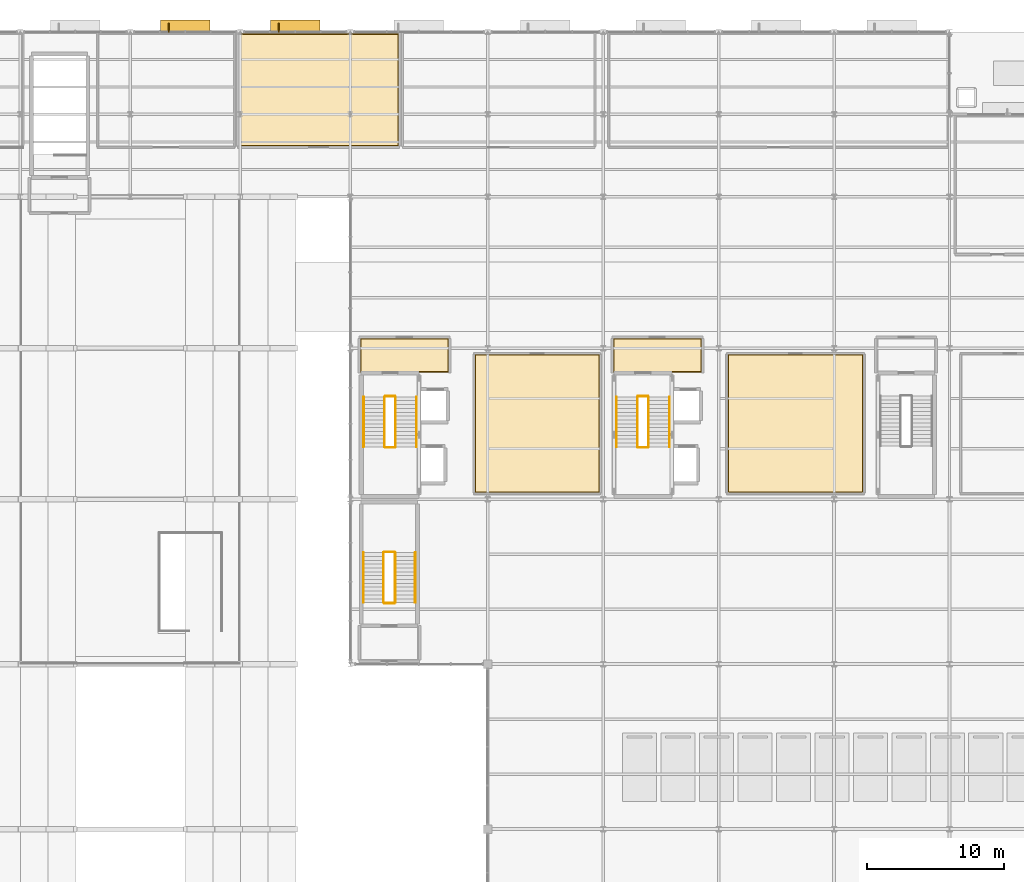
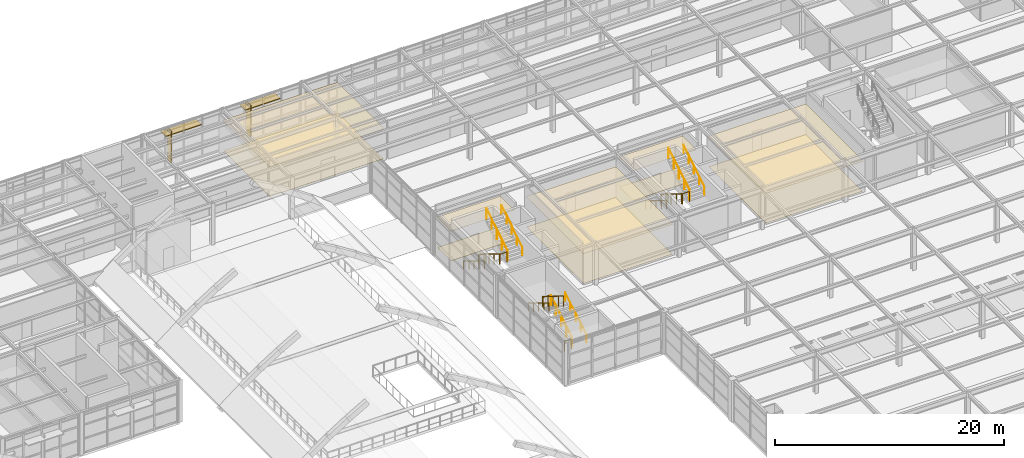
# One storey, part 77 of 82: 18 railings, 10 coverings, 4 shading devices.
"""IFC4 building model written with IfcOpenShell, lengths in metres."""

from ifc_helpers import new_model, si_unit, direction, frame, origin, origin_2d, place, context, subcontext, project, spatial, polyline, rectangle, circle, outline, extrude, material, layer, layer_set, type_object, element, save


model = new_model("IFC4")

# Units and contexts
model_context = context("Model", 3, precision=1e-05, world=origin(), true_north=direction((0.0, 1.0)))
body_context = subcontext(model_context, "Body", "Model", "MODEL_VIEW")
ifc_project = project(units=[si_unit("LENGTHUNIT", "METRE"), si_unit("AREAUNIT", "SQUARE_METRE"), si_unit("VOLUMEUNIT", "CUBIC_METRE"), si_unit("PLANEANGLEUNIT", "RADIAN"), si_unit("MASSUNIT", "GRAM", prefix="KILO")], contexts=[model_context])

# Site, building, storey
site_placement = place(None, origin())
site = spatial("IfcSite", under=ifc_project, at=site_placement, CompositionType="ELEMENT")
building_placement = place(site_placement, origin())
building = spatial("IfcBuilding", under=site, at=building_placement, Name="Sitalva Quay Ferry Terminal", CompositionType="ELEMENT")
storey_placement = place(building_placement, frame((0.0, 0.0, 5.39990234375)))
storey = spatial("IfcBuildingStorey", under=building, at=storey_placement, Name="L02", CompositionType="ELEMENT", Elevation=5.39990234375)

# Coverings
ifc_material_1 = material(Name="Perforated Marine Aluminium Acoustic Ceiling", Category="aluminium")
ifc_layer_1 = layer(ifc_material_1, 0.0400390625)
ifc_layer_set_1 = layer_set([ifc_layer_1], Name="Perforated Marine Aluminium Acoustic Ceiling")
covering_type_1 = type_object("IfcCoveringType", Name="Ceiling_AcousticBaffle_40", PredefinedType="CEILING", material=ifc_layer_set_1)
covering_1_placement = place(storey_placement, frame((0.0, 0.0, 3.210205078125)))
element("IfcCovering", 1, at=covering_1_placement, inside=storey, type_object=covering_type_1, Name="Food Court Commercial Kitchen ceiling", PredefinedType="CEILING", context=body_context, shape_type="SweptSolid", body=[
    extrude(outline(polyline([(65.889892578125, 103.68994140625), (77.510009765625, 103.68994140625), (77.510009765625, 111.8798828125), (65.889892578125, 111.8798828125), (65.889892578125, 103.68994140625)])), origin(), (0.0, 0.0, 1.0), 0.039794921875),
])
covering_2_placement = place(storey_placement, frame((0.0, 0.0, 3.210205078125)))
element("IfcCovering", 2, at=covering_2_placement, inside=storey, type_object=covering_type_1, Name="Ferry Operator Ticketing & Dispatch Offices ceiling", PredefinedType="CEILING", context=body_context, shape_type="SweptSolid", body=[
    extrude(outline(polyline([(83.0625, 78.46240234375), (92.137451171875, 78.46240234375), (92.137451171875, 88.53759765625), (83.0625, 88.53759765625), (83.0625, 78.46240234375)])), origin(), (0.0, 0.0, 1.0), 0.039794921875),
])
covering_3_placement = place(storey_placement, frame((0.0, 0.0, 3.210205078125)))
element("IfcCovering", 3, at=covering_3_placement, inside=storey, type_object=covering_type_1, Name="Ferry Crew Mess & Rest Suite ceiling", PredefinedType="CEILING", context=body_context, shape_type="SweptSolid", body=[
    extrude(outline(polyline([(101.46240234375, 78.46240234375), (111.33740234375, 78.46240234375), (111.33740234375, 88.53759765625), (101.46240234375, 88.53759765625), (101.46240234375, 78.46240234375)])), origin(), (0.0, 0.0, 1.0), 0.039794921875),
])
ifc_material_2 = material(Name="Moisture-Resistant Acoustic Gypsum Ceiling", Category="gypsum")
ifc_layer_2 = layer(ifc_material_2, 0.02490234375)
ifc_layer_set_2 = layer_set([ifc_layer_2], Name="Moisture-Resistant Acoustic Gypsum Ceiling")
covering_type_2 = type_object("IfcCoveringType", Name="Ceiling_GypsumMoisture_25", PredefinedType="CEILING", material=ifc_layer_set_2)
covering_4_placement = place(storey_placement, frame((0.0, 0.0, 3.22509765625)))
element("IfcCovering", 4, at=covering_4_placement, inside=storey, type_object=covering_type_2, Name="Firefighting & Lift Lobby C1 ceiling", PredefinedType="CEILING", context=body_context, shape_type="SweptSolid", body=[
    extrude(outline(polyline([(74.739990234375, 87.239990234375), (81.159912109375, 87.239990234375), (81.159912109375, 89.7099609375), (74.739990234375, 89.7099609375), (74.739990234375, 87.239990234375)])), origin(), (0.0, 0.0, 1.0), 0.02490234375),
])
covering_5_placement = place(storey_placement, frame((0.0, 0.0, 3.22509765625)))
element("IfcCovering", 5, at=covering_5_placement, inside=storey, type_object=covering_type_2, Name="Firefighting & Lift Lobby C2 ceiling", PredefinedType="CEILING", context=body_context, shape_type="SweptSolid", body=[
    extrude(outline(polyline([(93.139892578125, 87.239990234375), (99.56005859375, 87.239990234375), (99.56005859375, 89.7099609375), (93.139892578125, 89.7099609375), (93.139892578125, 87.239990234375)])), origin(), (0.0, 0.0, 1.0), 0.02490234375),
])
ifc_material_3 = material(Name="Heavy-Duty Acoustic Resilient Flooring", Category="polymer")
ifc_layer_3 = layer(ifc_material_3, 0.014892578125)
ifc_layer_set_3 = layer_set([ifc_layer_3], Name="Heavy-Duty Acoustic Resilient Flooring")
covering_type_3 = type_object("IfcCoveringType", Name="Finish_AcousticVinyl_15", PredefinedType="FLOORING", material=ifc_layer_set_3)
covering_6_placement = place(storey_placement, origin())
element("IfcCovering", 6, at=covering_6_placement, inside=storey, type_object=covering_type_3, Name="Ferry Operator Ticketing & Dispatch Offices floor finish", PredefinedType="FLOORING", context=body_context, shape_type="SweptSolid", body=[
    extrude(outline(polyline([(83.112548828125, 78.512451171875), (92.08740234375, 78.512451171875), (92.08740234375, 88.487548828125), (83.112548828125, 88.487548828125), (83.112548828125, 78.512451171875)])), origin(), (0.0, 0.0, 1.0), 0.01513671875),
])
covering_7_placement = place(storey_placement, origin())
element("IfcCovering", 7, at=covering_7_placement, inside=storey, type_object=covering_type_3, Name="Ferry Crew Mess & Rest Suite floor finish", PredefinedType="FLOORING", context=body_context, shape_type="SweptSolid", body=[
    extrude(outline(polyline([(101.512451171875, 78.512451171875), (111.28759765625, 78.512451171875), (111.28759765625, 88.487548828125), (101.512451171875, 88.487548828125), (101.512451171875, 78.512451171875)])), origin(), (0.0, 0.0, 1.0), 0.01513671875),
])
ifc_material_4 = material(Name="Anti-Slip Porcelain Tile", Category="ceramic")
ifc_layer_4 = layer(ifc_material_4, 0.02001953125)
ifc_layer_set_4 = layer_set([ifc_layer_4], Name="Anti-Slip Porcelain Tile")
covering_type_4 = type_object("IfcCoveringType", Name="Finish_CeramicWet_20", PredefinedType="FLOORING", material=ifc_layer_set_4)
covering_8_placement = place(storey_placement, origin())
element("IfcCovering", 8, at=covering_8_placement, inside=storey, type_object=covering_type_4, Name="Food Court Commercial Kitchen floor finish", PredefinedType="FLOORING", context=body_context, shape_type="SweptSolid", body=[
    extrude(outline(polyline([(65.93994140625, 103.739990234375), (77.4599609375, 103.739990234375), (77.4599609375, 111.830078125), (65.93994140625, 111.830078125), (65.93994140625, 103.739990234375)])), origin(), (0.0, 0.0, 1.0), 0.02001953125),
])
ifc_material_5 = material(Name="Flamed Non-Slip Granite Paving", Category="masonry")
ifc_layer_5 = layer(ifc_material_5, 0.034912109375)
ifc_layer_set_5 = layer_set([ifc_layer_5], Name="Flamed Non-Slip Granite Paving")
covering_type_5 = type_object("IfcCoveringType", Name="Finish_Granite_35", PredefinedType="FLOORING", material=ifc_layer_set_5)
covering_9_placement = place(storey_placement, origin())
element("IfcCovering", 9, at=covering_9_placement, inside=storey, type_object=covering_type_5, Name="Firefighting & Lift Lobby C1 floor finish", PredefinedType="FLOORING", context=body_context, shape_type="SweptSolid", body=[
    extrude(outline(polyline([(74.7900390625, 87.2900390625), (81.110107421875, 87.2900390625), (81.110107421875, 89.659912109375), (74.7900390625, 89.659912109375), (74.7900390625, 87.2900390625)])), origin(), (0.0, 0.0, 1.0), 0.03515625),
])
covering_10_placement = place(storey_placement, origin())
element("IfcCovering", 10, at=covering_10_placement, inside=storey, type_object=covering_type_5, Name="Firefighting & Lift Lobby C2 floor finish", PredefinedType="FLOORING", context=body_context, shape_type="SweptSolid", body=[
    extrude(outline(polyline([(93.18994140625, 87.2900390625), (99.510009765625, 87.2900390625), (99.510009765625, 89.659912109375), (93.18994140625, 89.659912109375), (93.18994140625, 87.2900390625)])), origin(), (0.0, 0.0, 1.0), 0.03515625),
])

# Railings
ifc_material_6 = material(Name="Galvanised Steel S275JR", Category="steel")
railing_type_1 = type_object("IfcRailingType", Name="Railing_Guard_1100", PredefinedType="GUARDRAIL", material=ifc_material_6)
railing_1_placement = place(storey_placement, frame((76.5, 85.449951171875, 0.171630859375)))
element("IfcRailing", 11, at=railing_1_placement, inside=storey, type_object=railing_type_1, Name="L02 ST-01 stair guard 1", PredefinedType="GUARDRAIL", context=body_context, shape_type="SweptSolid", body=[
    extrude(circle(Radius=0.02392578125, at=origin_2d()), frame((0.0, 0.0, 1.076171875), z_axis=(0.0, -0.852850264322, 0.5221555579), x_axis=(1.0, 0.0, 0.0)), (0.0, 0.0, 1.0), 4.267822265625),
    extrude(circle(Radius=0.02099609375, at=origin_2d()), origin(), (0.0, 0.0, 1.0), 1.052001953125),
    extrude(circle(Radius=0.02099609375, at=origin_2d()), frame((0.0, -0.909912109375, 0.55712890625)), (0.0, 0.0, 1.0), 1.052001953125),
    extrude(circle(Radius=0.02099609375, at=origin_2d()), frame((0.0, -1.81982421875, 1.1142578125)), (0.0, 0.0, 1.0), 1.052001953125),
    extrude(circle(Radius=0.02099609375, at=origin_2d()), frame((0.0, -2.72998046875, 1.67138671875)), (0.0, 0.0, 1.0), 1.052001953125),
    extrude(circle(Radius=0.02099609375, at=origin_2d()), frame((0.0, -3.639892578125, 2.228515625)), (0.0, 0.0, 1.0), 1.052001953125),
])
railing_2_placement = place(storey_placement, frame((76.550048828125, 81.760009765625, 2.400146484375)))
element("IfcRailing", 12, at=railing_2_placement, inside=storey, type_object=railing_type_1, Name="L02 ST-01 stair guard 2", PredefinedType="GUARDRAIL", context=body_context, shape_type="SweptSolid", body=[
    extrude(circle(Radius=0.02392578125, at=origin_2d()), frame((0.0, 0.0, 1.076171875), z_axis=(1.0, 0.0, 0.0), x_axis=(0.0, 1.0, 0.0)), (0.0, 0.0, 1.0), 0.699951171875),
    extrude(circle(Radius=0.02099609375, at=origin_2d()), origin(), (0.0, 0.0, 1.0), 1.052001953125),
    extrude(circle(Radius=0.02099609375, at=origin_2d()), frame((0.699951171875, 0.0, 0.0)), (0.0, 0.0, 1.0), 1.052001953125),
])
railing_3_placement = place(storey_placement, frame((77.300048828125, 81.81005859375, 2.571533203125)))
element("IfcRailing", 13, at=railing_3_placement, inside=storey, type_object=railing_type_1, Name="L02 ST-01 stair guard 3", PredefinedType="GUARDRAIL", context=body_context, shape_type="SweptSolid", body=[
    extrude(circle(Radius=0.02392578125, at=origin_2d()), frame((0.0, 0.0, 1.076171875), z_axis=(0.0, 0.852850264322, 0.5221555579), x_axis=(-1.0, 0.0, 0.0)), (0.0, 0.0, 1.0), 4.267822265625),
    extrude(circle(Radius=0.02099609375, at=origin_2d()), origin(), (0.0, 0.0, 1.0), 1.052001953125),
    extrude(circle(Radius=0.02099609375, at=origin_2d()), frame((0.0, 0.909912109375, 0.55712890625)), (0.0, 0.0, 1.0), 1.052001953125),
    extrude(circle(Radius=0.02099609375, at=origin_2d()), frame((0.0, 1.81982421875, 1.1142578125)), (0.0, 0.0, 1.0), 1.052001953125),
    extrude(circle(Radius=0.02099609375, at=origin_2d()), frame((0.0, 2.72998046875, 1.67138671875)), (0.0, 0.0, 1.0), 1.052001953125),
    extrude(circle(Radius=0.02099609375, at=origin_2d()), frame((0.0, 3.639892578125, 2.228515625)), (0.0, 0.0, 1.0), 1.052001953125),
])
railing_4_placement = place(storey_placement, frame((76.550048828125, 85.5, 0.0)))
element("IfcRailing", 14, at=railing_4_placement, inside=storey, type_object=railing_type_1, Name="L02 ST-01 stair guard 4", PredefinedType="GUARDRAIL", context=body_context, shape_type="SweptSolid", body=[
    extrude(circle(Radius=0.02392578125, at=origin_2d()), frame((0.0, 0.0, 1.076171875), z_axis=(1.0, 0.0, 0.0), x_axis=(0.0, 1.0, 0.0)), (0.0, 0.0, 1.0), 0.699951171875),
    extrude(circle(Radius=0.02099609375, at=origin_2d()), origin(), (0.0, 0.0, 1.0), 1.052001953125),
    extrude(circle(Radius=0.02099609375, at=origin_2d()), frame((0.699951171875, 0.0, 0.0)), (0.0, 0.0, 1.0), 1.052001953125),
])
railing_5_placement = place(storey_placement, frame((94.89990234375, 85.449951171875, 0.171630859375)))
element("IfcRailing", 15, at=railing_5_placement, inside=storey, type_object=railing_type_1, Name="L02 ST-02 stair guard 1", PredefinedType="GUARDRAIL", context=body_context, shape_type="SweptSolid", body=[
    extrude(circle(Radius=0.02392578125, at=origin_2d()), frame((0.0, 0.0, 1.076171875), z_axis=(0.0, -0.852850264322, 0.5221555579), x_axis=(1.0, 0.0, 0.0)), (0.0, 0.0, 1.0), 4.267822265625),
    extrude(circle(Radius=0.02099609375, at=origin_2d()), origin(), (0.0, 0.0, 1.0), 1.052001953125),
    extrude(circle(Radius=0.02099609375, at=origin_2d()), frame((0.0, -0.909912109375, 0.55712890625)), (0.0, 0.0, 1.0), 1.052001953125),
    extrude(circle(Radius=0.02099609375, at=origin_2d()), frame((0.0, -1.81982421875, 1.1142578125)), (0.0, 0.0, 1.0), 1.052001953125),
    extrude(circle(Radius=0.02099609375, at=origin_2d()), frame((0.0, -2.72998046875, 1.67138671875)), (0.0, 0.0, 1.0), 1.052001953125),
    extrude(circle(Radius=0.02099609375, at=origin_2d()), frame((0.0, -3.639892578125, 2.228515625)), (0.0, 0.0, 1.0), 1.052001953125),
])
railing_6_placement = place(storey_placement, frame((94.949951171875, 81.760009765625, 2.400146484375)))
element("IfcRailing", 16, at=railing_6_placement, inside=storey, type_object=railing_type_1, Name="L02 ST-02 stair guard 2", PredefinedType="GUARDRAIL", context=body_context, shape_type="SweptSolid", body=[
    extrude(circle(Radius=0.02392578125, at=origin_2d()), frame((0.0, 0.0, 1.076171875), z_axis=(1.0, 0.0, 0.0), x_axis=(0.0, 1.0, 0.0)), (0.0, 0.0, 1.0), 0.699951171875),
    extrude(circle(Radius=0.02099609375, at=origin_2d()), origin(), (0.0, 0.0, 1.0), 1.052001953125),
    extrude(circle(Radius=0.02099609375, at=origin_2d()), frame((0.699951171875, 0.0, 0.0)), (0.0, 0.0, 1.0), 1.052001953125),
])
railing_7_placement = place(storey_placement, frame((95.699951171875, 81.81005859375, 2.571533203125)))
element("IfcRailing", 17, at=railing_7_placement, inside=storey, type_object=railing_type_1, Name="L02 ST-02 stair guard 3", PredefinedType="GUARDRAIL", context=body_context, shape_type="SweptSolid", body=[
    extrude(circle(Radius=0.02392578125, at=origin_2d()), frame((0.0, 0.0, 1.076171875), z_axis=(0.0, 0.852850264322, 0.5221555579), x_axis=(-1.0, 0.0, 0.0)), (0.0, 0.0, 1.0), 4.267822265625),
    extrude(circle(Radius=0.02099609375, at=origin_2d()), origin(), (0.0, 0.0, 1.0), 1.052001953125),
    extrude(circle(Radius=0.02099609375, at=origin_2d()), frame((0.0, 0.909912109375, 0.55712890625)), (0.0, 0.0, 1.0), 1.052001953125),
    extrude(circle(Radius=0.02099609375, at=origin_2d()), frame((0.0, 1.81982421875, 1.1142578125)), (0.0, 0.0, 1.0), 1.052001953125),
    extrude(circle(Radius=0.02099609375, at=origin_2d()), frame((0.0, 2.72998046875, 1.67138671875)), (0.0, 0.0, 1.0), 1.052001953125),
    extrude(circle(Radius=0.02099609375, at=origin_2d()), frame((0.0, 3.639892578125, 2.228515625)), (0.0, 0.0, 1.0), 1.052001953125),
])
railing_8_placement = place(storey_placement, frame((94.949951171875, 85.5, 0.0)))
element("IfcRailing", 18, at=railing_8_placement, inside=storey, type_object=railing_type_1, Name="L02 ST-02 stair guard 4", PredefinedType="GUARDRAIL", context=body_context, shape_type="SweptSolid", body=[
    extrude(circle(Radius=0.02392578125, at=origin_2d()), frame((0.0, 0.0, 1.076171875), z_axis=(1.0, 0.0, 0.0), x_axis=(0.0, 1.0, 0.0)), (0.0, 0.0, 1.0), 0.699951171875),
    extrude(circle(Radius=0.02099609375, at=origin_2d()), origin(), (0.0, 0.0, 1.0), 1.052001953125),
    extrude(circle(Radius=0.02099609375, at=origin_2d()), frame((0.699951171875, 0.0, 0.0)), (0.0, 0.0, 1.0), 1.052001953125),
])
railing_9_placement = place(storey_placement, frame((77.27001953125, 70.47998046875, 0.171630859375)))
element("IfcRailing", 19, at=railing_9_placement, inside=storey, type_object=railing_type_1, Name="L02 ST-13 stair guard 1", PredefinedType="GUARDRAIL", context=body_context, shape_type="SweptSolid", body=[
    extrude(circle(Radius=0.02392578125, at=origin_2d()), frame((0.0, 0.0, 1.076171875), z_axis=(0.0, 0.852865859571, 0.52213008492), x_axis=(-1.0, 0.0, 0.0)), (0.0, 0.0, 1.0), 4.26806640625),
    extrude(circle(Radius=0.02099609375, at=origin_2d()), origin(), (0.0, 0.0, 1.0), 1.052001953125),
    extrude(circle(Radius=0.02099609375, at=origin_2d()), frame((0.0, 0.91015625, 0.55712890625)), (0.0, 0.0, 1.0), 1.052001953125),
    extrude(circle(Radius=0.02099609375, at=origin_2d()), frame((0.0, 1.820068359375, 1.1142578125)), (0.0, 0.0, 1.0), 1.052001953125),
    extrude(circle(Radius=0.02099609375, at=origin_2d()), frame((0.0, 2.72998046875, 1.67138671875)), (0.0, 0.0, 1.0), 1.052001953125),
    extrude(circle(Radius=0.02099609375, at=origin_2d()), frame((0.0, 3.64013671875, 2.228515625)), (0.0, 0.0, 1.0), 1.052001953125),
])
railing_10_placement = place(storey_placement, frame((77.219970703125, 74.169921875, 2.400146484375)))
element("IfcRailing", 20, at=railing_10_placement, inside=storey, type_object=railing_type_1, Name="L02 ST-13 stair guard 2", PredefinedType="GUARDRAIL", context=body_context, shape_type="SweptSolid", body=[
    extrude(circle(Radius=0.02392578125, at=origin_2d()), frame((0.0, 0.0, 1.076171875), z_axis=(-1.0, 0.0, 0.0), x_axis=(0.0, -1.0, 0.0)), (0.0, 0.0, 1.0), 0.739990234375),
    extrude(circle(Radius=0.02099609375, at=origin_2d()), origin(), (0.0, 0.0, 1.0), 1.052001953125),
    extrude(circle(Radius=0.02099609375, at=origin_2d()), frame((-0.739990234375, 0.0, 0.0)), (0.0, 0.0, 1.0), 1.052001953125),
])
railing_11_placement = place(storey_placement, frame((76.429931640625, 74.1201171875, 2.571533203125)))
element("IfcRailing", 21, at=railing_11_placement, inside=storey, type_object=railing_type_1, Name="L02 ST-13 stair guard 3", PredefinedType="GUARDRAIL", context=body_context, shape_type="SweptSolid", body=[
    extrude(circle(Radius=0.02392578125, at=origin_2d()), frame((0.0, 0.0, 1.076171875), z_axis=(0.0, -0.852865859571, 0.52213008492), x_axis=(1.0, 0.0, 0.0)), (0.0, 0.0, 1.0), 4.26806640625),
    extrude(circle(Radius=0.02099609375, at=origin_2d()), origin(), (0.0, 0.0, 1.0), 1.052001953125),
    extrude(circle(Radius=0.02099609375, at=origin_2d()), frame((0.0, -0.91015625, 0.55712890625)), (0.0, 0.0, 1.0), 1.052001953125),
    extrude(circle(Radius=0.02099609375, at=origin_2d()), frame((0.0, -1.820068359375, 1.1142578125)), (0.0, 0.0, 1.0), 1.052001953125),
    extrude(circle(Radius=0.02099609375, at=origin_2d()), frame((0.0, -2.72998046875, 1.67138671875)), (0.0, 0.0, 1.0), 1.052001953125),
    extrude(circle(Radius=0.02099609375, at=origin_2d()), frame((0.0, -3.64013671875, 2.228515625)), (0.0, 0.0, 1.0), 1.052001953125),
])
railing_12_placement = place(storey_placement, frame((77.219970703125, 70.429931640625, 0.0)))
element("IfcRailing", 22, at=railing_12_placement, inside=storey, type_object=railing_type_1, Name="L02 ST-13 stair guard 4", PredefinedType="GUARDRAIL", context=body_context, shape_type="SweptSolid", body=[
    extrude(circle(Radius=0.02392578125, at=origin_2d()), frame((0.0, 0.0, 1.076171875), z_axis=(-1.0, 0.0, 0.0), x_axis=(0.0, -1.0, 0.0)), (0.0, 0.0, 1.0), 0.739990234375),
    extrude(circle(Radius=0.02099609375, at=origin_2d()), origin(), (0.0, 0.0, 1.0), 1.052001953125),
    extrude(circle(Radius=0.02099609375, at=origin_2d()), frame((-0.739990234375, 0.0, 0.0)), (0.0, 0.0, 1.0), 1.052001953125),
])
ifc_material_7 = material(Name="Stainless Steel 316L", Category="steel")
railing_type_2 = type_object("IfcRailingType", Name="Railing_Handrail_900", PredefinedType="HANDRAIL", material=ifc_material_7)
railing_13_placement = place(storey_placement, frame((74.97998046875, 85.449951171875, 0.171630859375)))
element("IfcRailing", 23, at=railing_13_placement, inside=storey, type_object=railing_type_2, Name="L02 ST-01 stair handrail 1", PredefinedType="HANDRAIL", context=body_context, shape_type="SweptSolid", body=[
    extrude(circle(Radius=0.02392578125, at=origin_2d()), frame((0.0, 0.0, 0.8759765625), z_axis=(0.0, -0.852850264322, 0.5221555579), x_axis=(1.0, 0.0, 0.0)), (0.0, 0.0, 1.0), 4.267822265625),
    extrude(circle(Radius=0.02099609375, at=origin_2d()), origin(), (0.0, 0.0, 1.0), 0.851806640625),
    extrude(circle(Radius=0.02099609375, at=origin_2d()), frame((0.0, -0.909912109375, 0.55712890625)), (0.0, 0.0, 1.0), 0.851806640625),
    extrude(circle(Radius=0.02099609375, at=origin_2d()), frame((0.0, -1.81982421875, 1.1142578125)), (0.0, 0.0, 1.0), 0.851806640625),
    extrude(circle(Radius=0.02099609375, at=origin_2d()), frame((0.0, -2.72998046875, 1.67138671875)), (0.0, 0.0, 1.0), 0.851806640625),
    extrude(circle(Radius=0.02099609375, at=origin_2d()), frame((0.0, -3.639892578125, 2.228515625)), (0.0, 0.0, 1.0), 0.851806640625),
])
railing_14_placement = place(storey_placement, frame((78.820068359375, 81.81005859375, 2.571533203125)))
element("IfcRailing", 24, at=railing_14_placement, inside=storey, type_object=railing_type_2, Name="L02 ST-01 stair handrail 2", PredefinedType="HANDRAIL", context=body_context, shape_type="SweptSolid", body=[
    extrude(circle(Radius=0.02392578125, at=origin_2d()), frame((0.0, 0.0, 0.8759765625), z_axis=(0.0, 0.852850264322, 0.5221555579), x_axis=(-1.0, 0.0, 0.0)), (0.0, 0.0, 1.0), 4.267822265625),
    extrude(circle(Radius=0.02099609375, at=origin_2d()), origin(), (0.0, 0.0, 1.0), 0.851806640625),
    extrude(circle(Radius=0.02099609375, at=origin_2d()), frame((0.0, 0.909912109375, 0.55712890625)), (0.0, 0.0, 1.0), 0.851806640625),
    extrude(circle(Radius=0.02099609375, at=origin_2d()), frame((0.0, 1.81982421875, 1.1142578125)), (0.0, 0.0, 1.0), 0.851806640625),
    extrude(circle(Radius=0.02099609375, at=origin_2d()), frame((0.0, 2.72998046875, 1.67138671875)), (0.0, 0.0, 1.0), 0.851806640625),
    extrude(circle(Radius=0.02099609375, at=origin_2d()), frame((0.0, 3.639892578125, 2.228515625)), (0.0, 0.0, 1.0), 0.851806640625),
])
railing_15_placement = place(storey_placement, frame((93.3798828125, 85.449951171875, 0.171630859375)))
element("IfcRailing", 25, at=railing_15_placement, inside=storey, type_object=railing_type_2, Name="L02 ST-02 stair handrail 1", PredefinedType="HANDRAIL", context=body_context, shape_type="SweptSolid", body=[
    extrude(circle(Radius=0.02392578125, at=origin_2d()), frame((0.0, 0.0, 0.8759765625), z_axis=(0.0, -0.852850264322, 0.5221555579), x_axis=(1.0, 0.0, 0.0)), (0.0, 0.0, 1.0), 4.267822265625),
    extrude(circle(Radius=0.02099609375, at=origin_2d()), origin(), (0.0, 0.0, 1.0), 0.851806640625),
    extrude(circle(Radius=0.02099609375, at=origin_2d()), frame((0.0, -0.909912109375, 0.55712890625)), (0.0, 0.0, 1.0), 0.851806640625),
    extrude(circle(Radius=0.02099609375, at=origin_2d()), frame((0.0, -1.81982421875, 1.1142578125)), (0.0, 0.0, 1.0), 0.851806640625),
    extrude(circle(Radius=0.02099609375, at=origin_2d()), frame((0.0, -2.72998046875, 1.67138671875)), (0.0, 0.0, 1.0), 0.851806640625),
    extrude(circle(Radius=0.02099609375, at=origin_2d()), frame((0.0, -3.639892578125, 2.228515625)), (0.0, 0.0, 1.0), 0.851806640625),
])
railing_16_placement = place(storey_placement, frame((97.219970703125, 81.81005859375, 2.571533203125)))
element("IfcRailing", 26, at=railing_16_placement, inside=storey, type_object=railing_type_2, Name="L02 ST-02 stair handrail 2", PredefinedType="HANDRAIL", context=body_context, shape_type="SweptSolid", body=[
    extrude(circle(Radius=0.02392578125, at=origin_2d()), frame((0.0, 0.0, 0.8759765625), z_axis=(0.0, 0.852850264322, 0.5221555579), x_axis=(-1.0, 0.0, 0.0)), (0.0, 0.0, 1.0), 4.267822265625),
    extrude(circle(Radius=0.02099609375, at=origin_2d()), origin(), (0.0, 0.0, 1.0), 0.851806640625),
    extrude(circle(Radius=0.02099609375, at=origin_2d()), frame((0.0, 0.909912109375, 0.55712890625)), (0.0, 0.0, 1.0), 0.851806640625),
    extrude(circle(Radius=0.02099609375, at=origin_2d()), frame((0.0, 1.81982421875, 1.1142578125)), (0.0, 0.0, 1.0), 0.851806640625),
    extrude(circle(Radius=0.02099609375, at=origin_2d()), frame((0.0, 2.72998046875, 1.67138671875)), (0.0, 0.0, 1.0), 0.851806640625),
    extrude(circle(Radius=0.02099609375, at=origin_2d()), frame((0.0, 3.639892578125, 2.228515625)), (0.0, 0.0, 1.0), 0.851806640625),
])
railing_17_placement = place(storey_placement, frame((78.72998046875, 70.47998046875, 0.171630859375)))
element("IfcRailing", 27, at=railing_17_placement, inside=storey, type_object=railing_type_2, Name="L02 ST-13 stair handrail 1", PredefinedType="HANDRAIL", context=body_context, shape_type="SweptSolid", body=[
    extrude(circle(Radius=0.02392578125, at=origin_2d()), frame((0.0, 0.0, 0.8759765625), z_axis=(0.0, 0.852865859571, 0.52213008492), x_axis=(-1.0, 0.0, 0.0)), (0.0, 0.0, 1.0), 4.26806640625),
    extrude(circle(Radius=0.02099609375, at=origin_2d()), origin(), (0.0, 0.0, 1.0), 0.851806640625),
    extrude(circle(Radius=0.02099609375, at=origin_2d()), frame((0.0, 0.91015625, 0.55712890625)), (0.0, 0.0, 1.0), 0.851806640625),
    extrude(circle(Radius=0.02099609375, at=origin_2d()), frame((0.0, 1.820068359375, 1.1142578125)), (0.0, 0.0, 1.0), 0.851806640625),
    extrude(circle(Radius=0.02099609375, at=origin_2d()), frame((0.0, 2.72998046875, 1.67138671875)), (0.0, 0.0, 1.0), 0.851806640625),
    extrude(circle(Radius=0.02099609375, at=origin_2d()), frame((0.0, 3.64013671875, 2.228515625)), (0.0, 0.0, 1.0), 0.851806640625),
])
railing_18_placement = place(storey_placement, frame((74.969970703125, 74.1201171875, 2.571533203125)))
element("IfcRailing", 28, at=railing_18_placement, inside=storey, type_object=railing_type_2, Name="L02 ST-13 stair handrail 2", PredefinedType="HANDRAIL", context=body_context, shape_type="SweptSolid", body=[
    extrude(circle(Radius=0.02392578125, at=origin_2d()), frame((0.0, 0.0, 0.8759765625), z_axis=(0.0, -0.852865859571, 0.52213008492), x_axis=(1.0, 0.0, 0.0)), (0.0, 0.0, 1.0), 4.26806640625),
    extrude(circle(Radius=0.02099609375, at=origin_2d()), origin(), (0.0, 0.0, 1.0), 0.851806640625),
    extrude(circle(Radius=0.02099609375, at=origin_2d()), frame((0.0, -0.91015625, 0.55712890625)), (0.0, 0.0, 1.0), 0.851806640625),
    extrude(circle(Radius=0.02099609375, at=origin_2d()), frame((0.0, -1.820068359375, 1.1142578125)), (0.0, 0.0, 1.0), 0.851806640625),
    extrude(circle(Radius=0.02099609375, at=origin_2d()), frame((0.0, -2.72998046875, 1.67138671875)), (0.0, 0.0, 1.0), 0.851806640625),
    extrude(circle(Radius=0.02099609375, at=origin_2d()), frame((0.0, -3.64013671875, 2.228515625)), (0.0, 0.0, 1.0), 0.851806640625),
])

# Shading devices
ifc_material_8 = material(Name="Anodised Marine Aluminium 6063-T6", Category="aluminium")
shading_device_type_1 = type_object("IfcShadingDeviceType", Name="Shade_HorizontalLouvre_900", PredefinedType="USERDEFINED", material=ifc_material_8)
for number, where, z_axis, x_axis, name in (
    (29, (62.0, 112.419921875, 3.40771484375), (0.0, 0.0, 1.0), (1.0, 0.0, 0.0), "Monsoon sunshade canopy BS-057"),
    (30, (70.0, 112.419921875, 3.40771484375), (0.0, 0.0, 1.0), (1.0, 0.0, 0.0), "Monsoon sunshade canopy BS-059"),
):
    element("IfcShadingDevice", number, at=place(storey_placement, frame(where, z_axis=z_axis, x_axis=x_axis)), inside=storey, type_object=shading_device_type_1, Name=name, ObjectType="SUNSHADE", PredefinedType="USERDEFINED", context=body_context, shape_type="SweptSolid", body=[
        extrude(rectangle(XDim=3.60009765625, YDim=0.89990234375, at=origin_2d()), origin(), (0.0, 0.0, 1.0), 0.0849609375),
    ])
ifc_material_9 = material(Name="Anodised Marine Aluminium 6063-T6", Category="aluminium")
shading_device_type_2 = type_object("IfcShadingDeviceType", Name="Shade_VerticalFin_650", PredefinedType="JALOUSIE", material=ifc_material_9)
for number, where, z_axis, x_axis, name in (
    (31, (60.800048828125, 112.294921875, 0.400146484375), (0.0, 0.0, 1.0), (1.0, 0.0, 0.0), "Vertical monsoon fin BS-058"),
    (32, (68.800048828125, 112.294921875, 0.400146484375), (0.0, 0.0, 1.0), (1.0, 0.0, 0.0), "Vertical monsoon fin BS-060"),
):
    element("IfcShadingDevice", number, at=place(storey_placement, frame(where, z_axis=z_axis, x_axis=x_axis)), inside=storey, type_object=shading_device_type_2, Name=name, PredefinedType="JALOUSIE", context=body_context, shape_type="SweptSolid", body=[
        extrude(rectangle(XDim=0.090087890625, YDim=0.64990234375, at=origin_2d()), origin(), (0.0, 0.0, 1.0), 3.39990234375),
    ])

save(model, "model.ifc")
